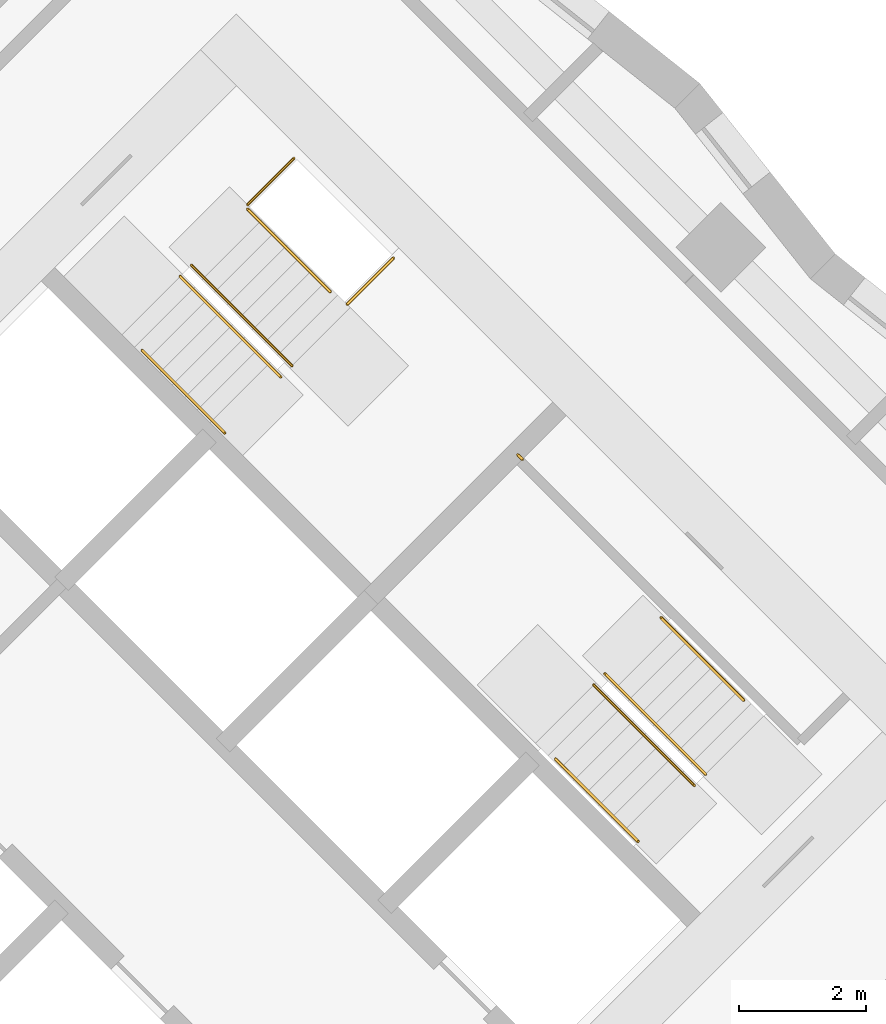
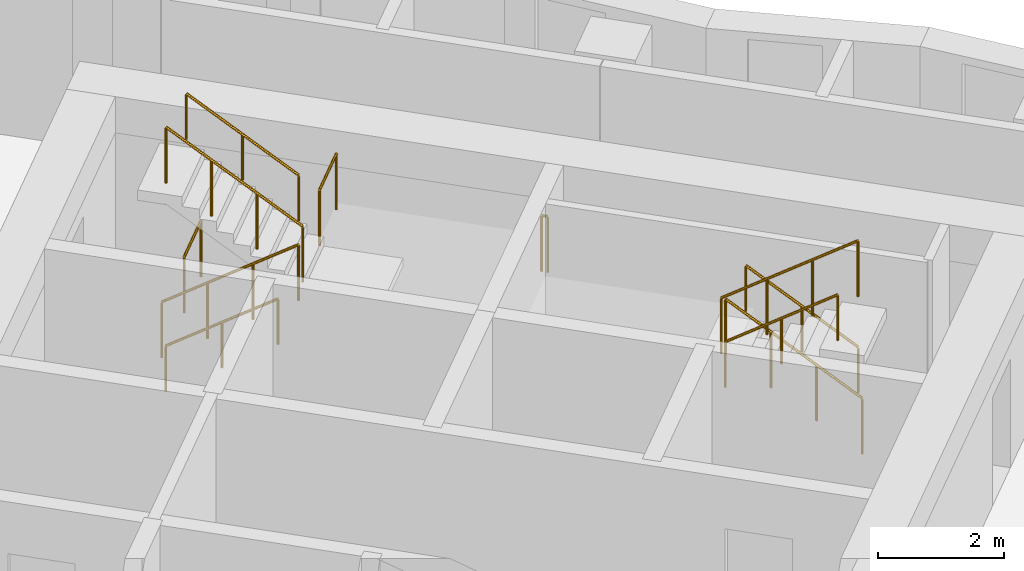
# One storey, part 13 of 13: 11 railings.
"""IFC4 building model written with IfcOpenShell, lengths in metres."""

from ifc_helpers import new_model, si_unit, direction, frame, origin, origin_2d, place, context, subcontext, project, spatial, circle, extrude, material, type_object, element, save


model = new_model("IFC4")

# Units and contexts
model_context = context("Model", 3, precision=1e-05, world=origin(), true_north=direction((0.0, 1.0)))
body_context = subcontext(model_context, "Body", "Model", "MODEL_VIEW")
ifc_project = project(units=[si_unit("LENGTHUNIT", "METRE"), si_unit("AREAUNIT", "SQUARE_METRE"), si_unit("VOLUMEUNIT", "CUBIC_METRE"), si_unit("PLANEANGLEUNIT", "RADIAN"), si_unit("MASSUNIT", "GRAM", prefix="KILO")], contexts=[model_context])

# Site, building, storey
site_placement = place(None, origin())
site = spatial("IfcSite", under=ifc_project, at=site_placement, CompositionType="ELEMENT")
building_placement = place(site_placement, origin())
building = spatial("IfcBuilding", under=site, at=building_placement, Name="Windrow Commons", CompositionType="ELEMENT")
storey_placement = place(building_placement, frame((0.0, 0.0, 91.4)))
storey = spatial("IfcBuildingStorey", under=building, at=storey_placement, Name="L24", CompositionType="ELEMENT", Elevation=91.4)

# Railings
ifc_material_1 = material(Name="Steel S355", Category="steel")
railing_type_1 = type_object("IfcRailingType", Name="Core stair guard 1100", PredefinedType="GUARDRAIL", material=ifc_material_1)
railing_1_placement = place(storey_placement, frame((85.9529, 56.2669, 0.1889)))
element("IfcRailing", 1, at=railing_1_placement, inside=storey, type_object=railing_type_1, Name="L24 ST-B1 stair guard 1", PredefinedType="GUARDRAIL", context=body_context, shape_type="SweptSolid", body=[
    extrude(circle(Radius=0.024, at=origin_2d()), frame((0.0, 0.0, 1.076), z_axis=(0.5861914914, -0.5861914914, 0.5592486664), x_axis=(0.7071067812, 0.7071067812, 0.0)), (0.0, 0.0, 1.0), 2.702),
    extrude(circle(Radius=0.021, at=origin_2d()), origin(), (0.0, 0.0, 1.0), 1.052),
    extrude(circle(Radius=0.021, at=origin_2d()), frame((0.528, -0.528, 0.5037)), (0.0, 0.0, 1.0), 1.052),
    extrude(circle(Radius=0.021, at=origin_2d()), frame((1.0559, -1.0559, 1.0074)), (0.0, 0.0, 1.0), 1.052),
    extrude(circle(Radius=0.021, at=origin_2d()), frame((1.5839, -1.5839, 1.5111)), (0.0, 0.0, 1.0), 1.052),
])
railing_2_placement = place(storey_placement, frame((87.7136, 54.8597, 1.8889)))
element("IfcRailing", 2, at=railing_2_placement, inside=storey, type_object=railing_type_1, Name="L24 ST-B1 stair guard 2", PredefinedType="GUARDRAIL", context=body_context, shape_type="SweptSolid", body=[
    extrude(circle(Radius=0.024, at=origin_2d()), frame((0.0, 0.0, 1.076), z_axis=(-0.5862030657, 0.5862030657, 0.5592244018), x_axis=(-0.7071067812, -0.7071067812, 0.0)), (0.0, 0.0, 1.0), 2.7021),
    extrude(circle(Radius=0.021, at=origin_2d()), origin(), (0.0, 0.0, 1.0), 1.052),
    extrude(circle(Radius=0.021, at=origin_2d()), frame((-0.528, 0.528, 0.5037)), (0.0, 0.0, 1.0), 1.052),
    extrude(circle(Radius=0.021, at=origin_2d()), frame((-1.056, 1.056, 1.0074)), (0.0, 0.0, 1.0), 1.052),
    extrude(circle(Radius=0.021, at=origin_2d()), frame((-1.584, 1.584, 1.5111)), (0.0, 0.0, 1.0), 1.052),
])
railing_3_placement = place(storey_placement, frame((87.0135, 57.3982, 0.0)))
element("IfcRailing", 3, at=railing_3_placement, inside=storey, type_object=railing_type_1, Name="L24 ST-B1 stair guard 3", PredefinedType="GUARDRAIL", context=body_context, shape_type="SweptSolid", body=[
    extrude(circle(Radius=0.024, at=origin_2d()), frame((0.0, 0.0, 1.076), z_axis=(0.7070582378, 0.7071553212, 0.0), x_axis=(-0.7071553212, 0.7070582378, 0.0)), (0.0, 0.0, 1.0), 1.03),
    extrude(circle(Radius=0.021, at=origin_2d()), origin(), (0.0, 0.0, 1.0), 1.052),
    extrude(circle(Radius=0.021, at=origin_2d()), frame((0.7283, 0.7284, 0.0)), (0.0, 0.0, 1.0), 1.052),
])
railing_4_placement = place(storey_placement, frame((88.5833, 55.8285, 1.7)))
element("IfcRailing", 4, at=railing_4_placement, inside=storey, type_object=railing_type_1, Name="L24 ST-B1 stair guard 4", PredefinedType="GUARDRAIL", context=body_context, shape_type="SweptSolid", body=[
    extrude(circle(Radius=0.024, at=origin_2d()), frame((0.0, 0.0, 1.076), z_axis=(0.7071067812, 0.7071067812, 0.0), x_axis=(-0.7071067812, 0.7071067812, 0.0)), (0.0, 0.0, 1.0), 1.03),
    extrude(circle(Radius=0.021, at=origin_2d()), origin(), (0.0, 0.0, 1.0), 1.052),
    extrude(circle(Radius=0.021, at=origin_2d()), frame((0.7283, 0.7283, 0.0)), (0.0, 0.0, 1.0), 1.052),
])
railing_5_placement = place(storey_placement, frame((94.2296, 48.4215, 0.1889)))
element("IfcRailing", 5, at=railing_5_placement, inside=storey, type_object=railing_type_1, Name="L24 ST-B2 stair guard 1", PredefinedType="GUARDRAIL", context=body_context, shape_type="SweptSolid", body=[
    extrude(circle(Radius=0.024, at=origin_2d()), frame((0.0, 0.0, 1.076), z_axis=(-0.5862157828, 0.5861787742, 0.5592365337), x_axis=(-0.7070844598, -0.7071291018, 0.0)), (0.0, 0.0, 1.0), 2.7021),
    extrude(circle(Radius=0.021, at=origin_2d()), origin(), (0.0, 0.0, 1.0), 1.052),
    extrude(circle(Radius=0.021, at=origin_2d()), frame((-0.528, 0.528, 0.5037)), (0.0, 0.0, 1.0), 1.052),
    extrude(circle(Radius=0.021, at=origin_2d()), frame((-1.056, 1.0559, 1.0074)), (0.0, 0.0, 1.0), 1.052),
    extrude(circle(Radius=0.021, at=origin_2d()), frame((-1.584, 1.5839, 1.5111)), (0.0, 0.0, 1.0), 1.052),
])
railing_6_placement = place(storey_placement, frame((92.4689, 49.8287, 1.8889)))
element("IfcRailing", 6, at=railing_6_placement, inside=storey, type_object=railing_type_1, Name="L24 ST-B2 stair guard 2", PredefinedType="GUARDRAIL", context=body_context, shape_type="SweptSolid", body=[
    extrude(circle(Radius=0.024, at=origin_2d()), frame((0.0, 0.0, 1.076), z_axis=(0.5861787742, -0.5862157828, 0.5592365337), x_axis=(0.7071291018, 0.7070844598, 0.0)), (0.0, 0.0, 1.0), 2.7021),
    extrude(circle(Radius=0.021, at=origin_2d()), origin(), (0.0, 0.0, 1.0), 1.052),
    extrude(circle(Radius=0.021, at=origin_2d()), frame((0.528, -0.528, 0.5037)), (0.0, 0.0, 1.0), 1.052),
    extrude(circle(Radius=0.021, at=origin_2d()), frame((1.0559, -1.056, 1.0074)), (0.0, 0.0, 1.0), 1.052),
    extrude(circle(Radius=0.021, at=origin_2d()), frame((1.5839, -1.584, 1.5111)), (0.0, 0.0, 1.0), 1.052),
])
railing_7_placement = place(storey_placement, frame((91.3446, 53.3854, 1.7)))
element("IfcRailing", 7, at=railing_7_placement, inside=storey, type_object=railing_type_1, Name="L24 ST-B2 stair guard 3", PredefinedType="GUARDRAIL", context=body_context, shape_type="SweptSolid", body=[
    extrude(circle(Radius=0.024, at=origin_2d()), frame((0.0, 0.0, 1.076), z_axis=(-0.7076063266, 0.7066068826, 0.0), x_axis=(-0.7066068826, -0.7076063266, 0.0)), (0.0, 0.0, 1.0), 0.1001),
    extrude(circle(Radius=0.021, at=origin_2d()), origin(), (0.0, 0.0, 1.0), 1.052),
    extrude(circle(Radius=0.021, at=origin_2d()), frame((-0.0708, 0.0707, 0.0)), (0.0, 0.0, 1.0), 1.052),
])
ifc_material_2 = material(Name="Steel S355", Category="steel")
railing_type_2 = type_object("IfcRailingType", Name="Core stair handrail 900", PredefinedType="HANDRAIL", material=ifc_material_2)
railing_8_placement = place(storey_placement, frame((85.3518, 55.1001, 0.4587)))
element("IfcRailing", 8, at=railing_8_placement, inside=storey, type_object=railing_type_2, Name="L24 ST-B1 stair handrail 1", PredefinedType="HANDRAIL", context=body_context, shape_type="SweptSolid", body=[
    extrude(circle(Radius=0.024, at=origin_2d()), frame((0.0, 0.0, 0.876), z_axis=(0.586206706, -0.5861616513, 0.5592639952), x_axis=(0.7070796062, 0.7071339551, 0.0)), (0.0, 0.0, 1.0), 2.2195),
    extrude(circle(Radius=0.021, at=origin_2d()), origin(), (0.0, 0.0, 1.0), 0.852),
    extrude(circle(Radius=0.021, at=origin_2d()), frame((0.6506, -0.6505, 0.6206)), (0.0, 0.0, 1.0), 0.852),
    extrude(circle(Radius=0.021, at=origin_2d()), frame((1.3011, -1.301, 1.2413)), (0.0, 0.0, 1.0), 0.852),
])
for number, where, name in (
    (9, (88.3146, 56.0265, 2.1587), "L24 ST-B1 stair handrail 2"),
    (10, (94.8306, 49.5883, 0.4587), "L24 ST-B2 stair handrail 1"),
):
    element("IfcRailing", number, at=place(storey_placement, frame(where)), inside=storey, type_object=railing_type_2, Name=name, PredefinedType="HANDRAIL", context=body_context, shape_type="SweptSolid", body=[
        extrude(circle(Radius=0.024, at=origin_2d()), frame((0.0, 0.0, 0.876), z_axis=(-0.586206706, 0.5861616513, 0.5592639952), x_axis=(-0.7070796062, -0.7071339551, 0.0)), (0.0, 0.0, 1.0), 2.2195),
        extrude(circle(Radius=0.021, at=origin_2d()), origin(), (0.0, 0.0, 1.0), 0.852),
        extrude(circle(Radius=0.021, at=origin_2d()), frame((-0.6506, 0.6505, 0.6206)), (0.0, 0.0, 1.0), 0.852),
        extrude(circle(Radius=0.021, at=origin_2d()), frame((-1.3011, 1.301, 1.2413)), (0.0, 0.0, 1.0), 0.852),
    ])
railing_9_placement = place(storey_placement, frame((91.8678, 48.6619, 2.1587)))
element("IfcRailing", 11, at=railing_9_placement, inside=storey, type_object=railing_type_2, Name="L24 ST-B2 stair handrail 2", PredefinedType="HANDRAIL", context=body_context, shape_type="SweptSolid", body=[
    extrude(circle(Radius=0.024, at=origin_2d()), frame((0.0, 0.0, 0.876), z_axis=(0.586206706, -0.5861616513, 0.5592639952), x_axis=(0.7070796062, 0.7071339551, 0.0)), (0.0, 0.0, 1.0), 2.2195),
    extrude(circle(Radius=0.021, at=origin_2d()), origin(), (0.0, 0.0, 1.0), 0.852),
    extrude(circle(Radius=0.021, at=origin_2d()), frame((0.6505, -0.6505, 0.6206)), (0.0, 0.0, 1.0), 0.852),
    extrude(circle(Radius=0.021, at=origin_2d()), frame((1.3011, -1.301, 1.2413)), (0.0, 0.0, 1.0), 0.852),
])

save(model, "model.ifc")
